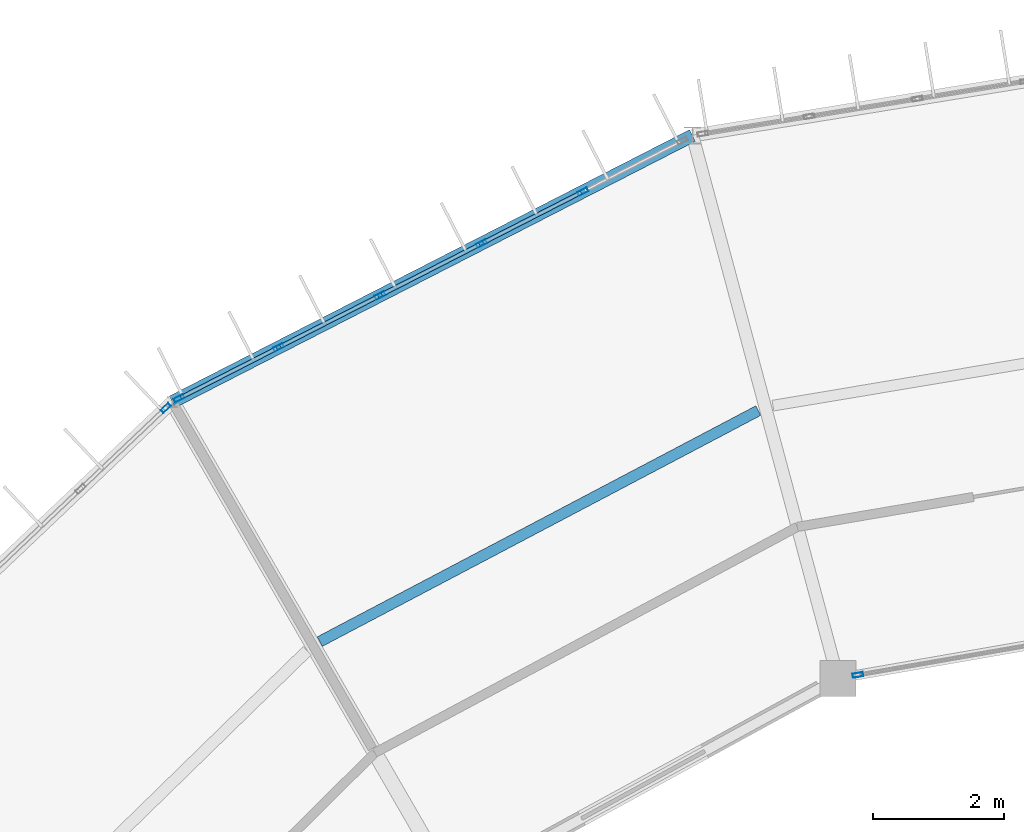
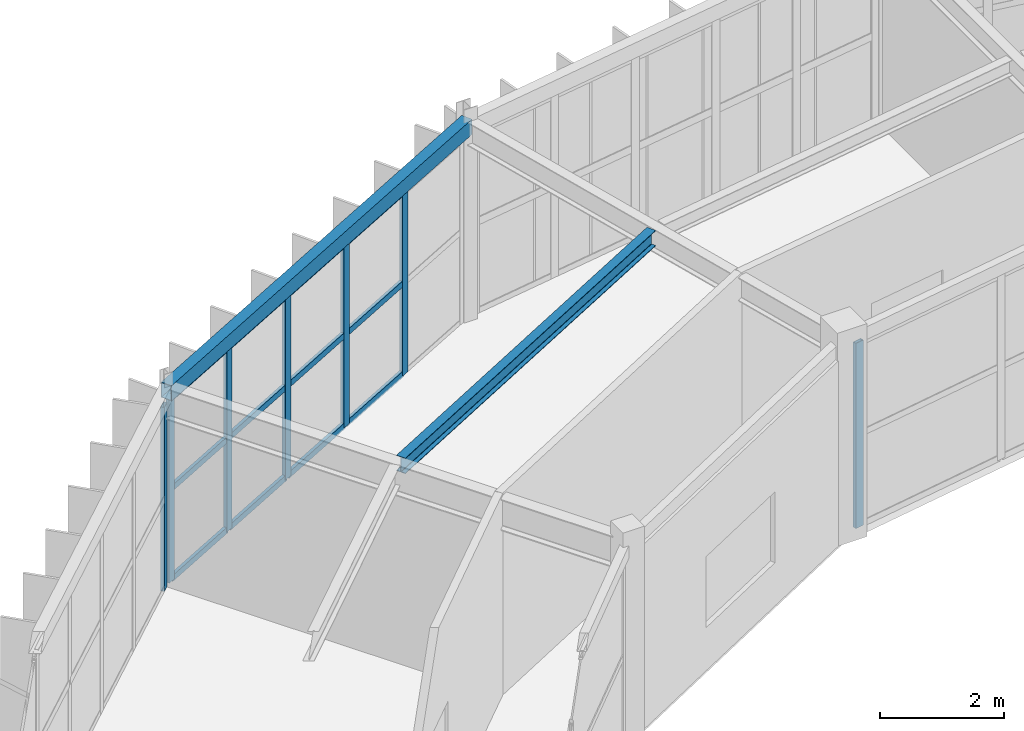
# One storey, part 72 of 134: 19 members, 2 beams, 3 elements without a shape of their own.
"""IFC4 building model written with IfcOpenShell, lengths in metres."""

import ifcopenshell
import ifcopenshell.guid

model = None  # the IFC model being written
_history = None  # IfcOwnerHistory: only IFC2X3 demands one
_inside = {}  # id of a spatial element -> (the spatial element, [elements in it])
_under = {}  # id of a project, library or spatial element -> (it, [spatial elements below it])
_declared = {}  # id of a project -> (the project, [libraries it declares])
_typed = {}  # id of a type object -> (the type object, [elements of that type])
_made_of = {}  # id of a material, layer set ... -> (it, [elements and type objects made of it])


def new_model(schema):
    """Start an empty IFC model of exactly this schema.

    Asked for "IFC4X3", IfcOpenShell would pick the latest addendum, in which some entities
    have other attributes; the version numbers below select the first issue.
    IFC2X3 requires an IfcOwnerHistory on every rooted entity: one is made here for all.
    """
    global model, _history
    if schema == "IFC4X3":
        model = ifcopenshell.file(schema_version=(4, 3, 0, 0))
    else:
        model = ifcopenshell.file(schema=schema)
    _inside.clear()
    _under.clear()
    _declared.clear()
    _typed.clear()
    _made_of.clear()
    _history = None
    if model.schema == "IFC2X3":
        org = make("IfcOrganization", Name="unknown")
        user = make(
            "IfcPersonAndOrganization",
            ThePerson=make("IfcPerson", FamilyName="unknown"),
            TheOrganization=org,
        )
        app = make(
            "IfcApplication",
            ApplicationDeveloper=org,
            Version="unknown",
            ApplicationFullName="unknown",
            ApplicationIdentifier="unknown",
        )
        _history = make(
            "IfcOwnerHistory",
            OwningUser=user,
            OwningApplication=app,
            ChangeAction="ADDED",
            CreationDate=0,
        )
    return model


def make(cls, **values):
    """One entity of the class cls with the attributes given. An attribute that is None is left unset."""
    return model.create_entity(
        cls, **{name: value for name, value in values.items() if value is not None}
    )


def rooted(cls, **values):
    """An entity with a GlobalId (a new one), such as an element, a storey or a relation."""
    return make(cls, GlobalId=ifcopenshell.guid.new(), OwnerHistory=_history, **values)


def si_unit(unit_type, name, prefix=None):
    """IfcSIUnit, for example si_unit("LENGTHUNIT", "METRE", prefix="MILLI")."""
    return make("IfcSIUnit", UnitType=unit_type, Prefix=prefix, Name=name)


def assignment(units):
    """IfcUnitAssignment: the units of a project."""
    return None if units is None else make("IfcUnitAssignment", Units=units)


def point(xyz):
    """IfcCartesianPoint."""
    return None if xyz is None else make("IfcCartesianPoint", Coordinates=xyz)


def direction(xyz):
    """IfcDirection."""
    return None if xyz is None else make("IfcDirection", DirectionRatios=xyz)


def frame(location, z_axis=None, x_axis=None):
    """IfcAxis2Placement3D, a coordinate frame: its origin and axes. An axis left out is left unset."""
    return make(
        "IfcAxis2Placement3D",
        Location=point(location),
        Axis=direction(z_axis),
        RefDirection=direction(x_axis),
    )


def frame_2d(location, x_axis=None):
    """IfcAxis2Placement2D, a coordinate frame in the plane: its origin and x axis."""
    return make(
        "IfcAxis2Placement2D", Location=point(location), RefDirection=direction(x_axis)
    )


def origin():
    """The frame at (0, 0, 0) with its axes left unset."""
    return frame((0.0, 0.0, 0.0))


def origin_2d():
    """The frame at (0, 0) in the plane with its x axis left unset."""
    return frame_2d((0.0, 0.0))


def place(relative_to, where):
    """IfcLocalPlacement: puts the frame where relative to a parent placement (None: the world)."""
    return make(
        "IfcLocalPlacement", PlacementRelTo=relative_to, RelativePlacement=where
    )


def context(
    kind, dimensions, precision=None, world=None, true_north=None, identifier=None
):
    """IfcGeometricRepresentationContext, for example the 3D "Model" context."""
    return make(
        "IfcGeometricRepresentationContext",
        ContextIdentifier=identifier,
        ContextType=kind,
        CoordinateSpaceDimension=dimensions,
        Precision=precision,
        WorldCoordinateSystem=world,
        TrueNorth=true_north,
    )


def subcontext(parent, identifier, kind, view, scale=None):
    """IfcGeometricRepresentationSubContext, for example "Body" below "Model"."""
    return make(
        "IfcGeometricRepresentationSubContext",
        ContextIdentifier=identifier,
        ContextType=kind,
        ParentContext=parent,
        TargetScale=scale,
        TargetView=view,
    )


def project(units=None, contexts=None):
    """IfcProject with its units and contexts."""
    return rooted(
        "IfcProject",
        Name="project",
        RepresentationContexts=contexts,
        UnitsInContext=assignment(units),
    )


def spatial(cls, under=None, at=None, **own):
    """A site, building, storey or space (cls), placed at a placement, below another one or the project."""
    s = rooted(cls, ObjectPlacement=at, **own)
    if under is not None:
        _under.setdefault(under.id(), (under, []))[1].append(s)
    return s


def profile(cls, at=None, kind="AREA", **sizes):
    """A parametric profile (cls). Its sizes go by their IFC names, for example OverallWidth=200.0."""
    return make(cls, ProfileType=kind, Position=at, **sizes)


def hollow_rectangle(**sizes):
    """IfcRectangleHollowProfileDef."""
    return profile("IfcRectangleHollowProfileDef", **sizes)


def i_section(**sizes):
    """IfcIShapeProfileDef."""
    return profile("IfcIShapeProfileDef", **sizes)


def extrude(swept, where, along, depth):
    """IfcExtrudedAreaSolid: the profile swept, set in the frame where, extruded along a direction by depth."""
    return make(
        "IfcExtrudedAreaSolid",
        SweptArea=swept,
        Position=where,
        ExtrudedDirection=direction(along),
        Depth=depth,
    )


def shape(context_of_items, identifier, shape_type, items):
    """IfcShapeRepresentation: the items that make up one representation, for example the "Body"."""
    return make(
        "IfcShapeRepresentation",
        ContextOfItems=context_of_items,
        RepresentationIdentifier=identifier,
        RepresentationType=shape_type,
        Items=items,
    )


def material(Name=None, Category=None):
    """IfcMaterial."""
    return make("IfcMaterial", Name=Name, Category=Category)


def material_profile(
    of_material, cross_section, Name=None, Category=None, Priority=None
):
    """IfcMaterialProfile: a cross section and its material."""
    return make(
        "IfcMaterialProfile",
        Name=Name,
        Material=of_material,
        Profile=cross_section,
        Priority=Priority,
        Category=Category,
    )


def profile_set(profiles, Name=None, composite=None):
    """IfcMaterialProfileSet."""
    return make(
        "IfcMaterialProfileSet",
        Name=Name,
        MaterialProfiles=profiles,
        CompositeProfile=composite,
    )


def made_of(thing, what):
    """Note that an element or type object is made of a material, layer set ...; save() writes the relation."""
    if what is not None:
        _made_of.setdefault(what.id(), (what, []))[1].append(thing)
    return thing


def type_object(cls, material=None, **own):
    """A type object (cls), such as IfcWallType, which elements share."""
    return made_of(rooted(cls, **own), material)


def element(
    cls,
    number,
    at=None,
    inside=None,
    cuts=None,
    type_object=None,
    material=None,
    context=None,
    identifier="Body",
    shape_type=None,
    held_by="IfcProductDefinitionShape",
    body=None,
    shapes=None,
    **own,
):
    """One element of the class cls, such as IfcWall. Its Tag is "e" and its number.

    at: its placement. inside: the storey or other place that contains it. cuts: it is an
    opening in that element (IfcRelVoidsElement). A single representation is given by context,
    identifier, shape_type and body (its items); several are given by shapes. held_by: the class
    of the entity that holds the representations. save() writes the other relations.
    """
    e = rooted(cls, Tag="e%d" % number, ObjectPlacement=at, **own)
    if body is not None:
        shapes = [shape(context, identifier, shape_type, body)]
    if shapes is not None:
        e.Representation = make(held_by, Representations=shapes)
    if inside is not None:
        _inside.setdefault(inside.id(), (inside, []))[1].append(e)
    if cuts is not None:
        rooted(
            "IfcRelVoidsElement", RelatingBuildingElement=cuts, RelatedOpeningElement=e
        )
    if type_object is not None:
        _typed.setdefault(type_object.id(), (type_object, []))[1].append(e)
    return made_of(e, material)


def aggregate(whole, parts):
    """IfcRelAggregates: a whole, such as a stair, and the parts it consists of."""
    return rooted("IfcRelAggregates", RelatingObject=whole, RelatedObjects=parts)


def save(model, path):
    """Write the relations noted so far, then the file.

    IfcRelAggregates (storeys below a building ...), IfcRelContainedInSpatialStructure (elements
    in a storey), IfcRelDefinesByType, IfcRelAssociatesMaterial and IfcRelDeclares: one each for
    every whole, place, type object, material and project.
    """
    for whole, parts in _under.values():
        aggregate(whole, parts)
    for where, things in _inside.values():
        rooted(
            "IfcRelContainedInSpatialStructure",
            RelatedElements=things,
            RelatingStructure=where,
        )
    for kind, things in _typed.values():
        rooted("IfcRelDefinesByType", RelatedObjects=things, RelatingType=kind)
    for what, things in _made_of.values():
        rooted("IfcRelAssociatesMaterial", RelatedObjects=things, RelatingMaterial=what)
    for by, libraries in _declared.values():
        rooted("IfcRelDeclares", RelatingContext=by, RelatedDefinitions=libraries)
    model.write(path)


model = new_model("IFC4")

# Units and contexts
model_context = context("Model", 3, precision=1e-05, world=origin(), true_north=direction((0.0, 1.0)))
body_context = subcontext(model_context, "Body", "Model", "MODEL_VIEW")
ifc_project = project(units=[si_unit("LENGTHUNIT", "METRE"), si_unit("AREAUNIT", "SQUARE_METRE"), si_unit("VOLUMEUNIT", "CUBIC_METRE"), si_unit("PLANEANGLEUNIT", "RADIAN"), si_unit("MASSUNIT", "GRAM", prefix="KILO")], contexts=[model_context])

# Site, building, storey
site_placement = place(None, origin())
site = spatial("IfcSite", under=ifc_project, at=site_placement, CompositionType="ELEMENT")
building_placement = place(site_placement, origin())
building = spatial("IfcBuilding", under=site, at=building_placement, Name="Karori Crest Natural Sciences Institute", CompositionType="ELEMENT")
storey_placement = place(building_placement, frame((0.0, 0.0, 21.699951171875)))
storey = spatial("IfcBuildingStorey", under=building, at=storey_placement, Name="L05", CompositionType="ELEMENT", Elevation=21.699951171875)

# Beams
ifc_material_1 = material(Name="Structural steel AS/NZS 3679.1 Grade 350", Category="steel")
ifc_material_profile_1 = material_profile(ifc_material_1, i_section(OverallWidth=0.166015625, OverallDepth=0.306884765625, WebThickness=0.006591796875, FlangeThickness=0.01171875, FilletRadius=0.010986328125, at=origin_2d()), Name="310UB46.2")
ifc_profile_set_1 = profile_set([ifc_material_profile_1], Name="Structural steel AS/NZS 3679.1 Grade 350")
beam_type_1 = type_object("IfcBeamType", Name="BT-09", PredefinedType="BEAM", material=ifc_profile_set_1)
beam_1_placement = place(storey_placement, frame((58.86572265625, 85.100341796875, 3.78662109375), z_axis=(-0.884748465601, -0.466068828197, 0.0), x_axis=(0.466068828197, -0.884748465601, 0.0)))
element("IfcBeam", 1, at=beam_1_placement, inside=storey, type_object=beam_type_1, Name="Beam B-0570", PredefinedType="BEAM", context=body_context, shape_type="SweptSolid", body=[
    extrude(i_section(OverallWidth=0.166015625, OverallDepth=0.306884765625, WebThickness=0.006591796875, FlangeThickness=0.01171875, FilletRadius=0.010986328125, at=origin_2d()), origin(), (0.0, 0.0, 1.0), 7.58349609375),
])
ifc_material_2 = material(Name="Hollow structural steel AS/NZS 1163 Grade C350", Category="steel")
ifc_material_profile_2 = material_profile(ifc_material_2, hollow_rectangle(XDim=0.199951171875, YDim=0.300048828125, WallThickness=0.010009765625, at=origin_2d()), Name="RHS300x200x10")
ifc_profile_set_2 = profile_set([ifc_material_profile_2], Name="Hollow structural steel AS/NZS 1163 Grade C350")
beam_type_2 = type_object("IfcBeamType", Name="BT-15", PredefinedType="SPANDREL", material=ifc_profile_set_2)
beam_2_placement = place(storey_placement, frame((57.85888671875, 89.309814453125, 3.7900390625), z_axis=(-0.890071733872, -0.455820478436, 0.0), x_axis=(0.455820478436, -0.890071733872, 0.0)))
element("IfcBeam", 2, at=beam_2_placement, inside=storey, type_object=beam_type_2, Name="Beam B-0567", PredefinedType="SPANDREL", context=body_context, shape_type="SweptSolid", body=[
    extrude(hollow_rectangle(XDim=0.199951171875, YDim=0.300048828125, WallThickness=0.010009765625, at=origin_2d()), origin(), (0.0, 0.0, 1.0), 8.94189453125),
])

# Curtain wall, member
ifc_material_3 = material(Name="Anodised architectural aluminium 6063-T6", Category="aluminium")
curtain_wall_type_1 = type_object("IfcCurtainWallType", Name="CWT-12", PredefinedType="NOTDEFINED", material=ifc_material_3)
curtain_wall_1_placement = place(storey_placement, origin())
curtain_wall_1 = element("IfcCurtainWall", 3, at=curtain_wall_1_placement, inside=storey, type_object=curtain_wall_type_1, Name="Curtain wall CW-0182", PredefinedType="NOTDEFINED")
ifc_material_profile_3 = material_profile(ifc_material_3, hollow_rectangle(XDim=0.06494140625, YDim=0.159912109375, WallThickness=0.00390625, at=origin_2d()), Name="CWM160x65x4")
ifc_profile_set_3 = profile_set([ifc_material_profile_3], Name="Anodised architectural aluminium 6063-T6")
member_type_1 = type_object("IfcMemberType", Name="CWM-01", PredefinedType="MULLION", material=ifc_profile_set_3)
member_1_placement = place(storey_placement, frame((60.389892578125, 81.0556640625, 0.0), z_axis=(0.0, 0.0, 1.0), x_axis=(0.171173924291, -0.985240827231, 0.0)))
member_1 = element("IfcMember", 4, at=member_1_placement, type_object=member_type_1, Name="CW-0182 mullion 3", PredefinedType="MULLION", context=body_context, shape_type="SweptSolid", body=[
    extrude(hollow_rectangle(XDim=0.06494140625, YDim=0.159912109375, WallThickness=0.00390625, at=origin_2d()), origin(), (0.0, 0.0, 1.0), 3.650146484375),
])
aggregate(curtain_wall_1, [member_1])

# Curtain wall, members
curtain_wall_type_2 = type_object("IfcCurtainWallType", Name="CWT-08", PredefinedType="NOTDEFINED", material=ifc_material_3)
curtain_wall_2_placement = place(storey_placement, origin())
curtain_wall_2 = element("IfcCurtainWall", 5, at=curtain_wall_2_placement, inside=storey, type_object=curtain_wall_type_2, Name="Curtain wall CW-0183", PredefinedType="NOTDEFINED")
member_2_placement = place(storey_placement, frame((50.004150390625, 85.287109375, 0.0), z_axis=(0.0, 0.0, 1.0), x_axis=(-0.455828878252, 0.890067432138, 0.0)))
member_2 = element("IfcMember", 6, at=member_2_placement, type_object=member_type_1, Name="CW-0183 mullion 1", PredefinedType="MULLION", context=body_context, shape_type="SweptSolid", body=[
    extrude(hollow_rectangle(XDim=0.06494140625, YDim=0.159912109375, WallThickness=0.00390625, at=origin_2d()), origin(), (0.0, 0.0, 1.0), 3.625),
])
member_3_placement = place(storey_placement, frame((51.52685546875, 86.06689453125, 0.0), z_axis=(0.0, 0.0, 1.0), x_axis=(-0.455828878252, 0.890067432138, 0.0)))
member_3 = element("IfcMember", 7, at=member_3_placement, type_object=member_type_1, Name="CW-0183 mullion 2", PredefinedType="MULLION", context=body_context, shape_type="SweptSolid", body=[
    extrude(hollow_rectangle(XDim=0.06494140625, YDim=0.159912109375, WallThickness=0.00390625, at=origin_2d()), origin(), (0.0, 0.0, 1.0), 3.625),
])
member_4_placement = place(storey_placement, frame((53.07861328125, 86.861572265625, 0.0), z_axis=(0.0, 0.0, 1.0), x_axis=(-0.455828878252, 0.890067432138, 0.0)))
member_4 = element("IfcMember", 8, at=member_4_placement, type_object=member_type_1, Name="CW-0183 mullion 3", PredefinedType="MULLION", context=body_context, shape_type="SweptSolid", body=[
    extrude(hollow_rectangle(XDim=0.06494140625, YDim=0.159912109375, WallThickness=0.00390625, at=origin_2d()), origin(), (0.0, 0.0, 1.0), 3.625),
])
member_5_placement = place(storey_placement, frame((54.63037109375, 87.65625, 0.0), z_axis=(0.0, 0.0, 1.0), x_axis=(-0.455828878252, 0.890067432138, 0.0)))
member_5 = element("IfcMember", 9, at=member_5_placement, type_object=member_type_1, Name="CW-0183 mullion 4", PredefinedType="MULLION", context=body_context, shape_type="SweptSolid", body=[
    extrude(hollow_rectangle(XDim=0.06494140625, YDim=0.159912109375, WallThickness=0.00390625, at=origin_2d()), origin(), (0.0, 0.0, 1.0), 3.625),
])
member_6_placement = place(storey_placement, frame((56.18212890625, 88.450927734375, 0.0), z_axis=(0.0, 0.0, 1.0), x_axis=(-0.455828878252, 0.890067432138, 0.0)))
member_6 = element("IfcMember", 10, at=member_6_placement, type_object=member_type_1, Name="CW-0183 mullion 5", PredefinedType="MULLION", context=body_context, shape_type="SweptSolid", body=[
    extrude(hollow_rectangle(XDim=0.06494140625, YDim=0.159912109375, WallThickness=0.00390625, at=origin_2d()), origin(), (0.0, 0.0, 1.0), 3.625),
])

# Curtain wall, member
curtain_wall_type_3 = type_object("IfcCurtainWallType", Name="CWT-09", PredefinedType="NOTDEFINED", material=ifc_material_3)
curtain_wall_3_placement = place(storey_placement, origin())
curtain_wall_3 = element("IfcCurtainWall", 11, at=curtain_wall_3_placement, inside=storey, type_object=curtain_wall_type_3, Name="Curtain wall CW-0184", PredefinedType="NOTDEFINED")
member_7_placement = place(storey_placement, frame((49.801025390625, 85.139892578125, 0.0), z_axis=(0.0, 0.0, 1.0), x_axis=(-0.688250542104, 0.725473081026, 0.0)))
member_7 = element("IfcMember", 12, at=member_7_placement, type_object=member_type_1, Name="CW-0184 mullion 6", PredefinedType="MULLION", context=body_context, shape_type="SweptSolid", body=[
    extrude(hollow_rectangle(XDim=0.06494140625, YDim=0.159912109375, WallThickness=0.00390625, at=origin_2d()), origin(), (0.0, 0.0, 1.0), 3.625),
])
aggregate(curtain_wall_3, [member_7])

# Member
ifc_material_profile_4 = material_profile(ifc_material_3, hollow_rectangle(XDim=0.06005859375, YDim=0.1201171875, WallThickness=0.00390625, at=origin_2d()), Name="CWT120x60x4")
ifc_profile_set_4 = profile_set([ifc_material_profile_4], Name="Anodised architectural aluminium 6063-T6")
member_type_2 = type_object("IfcMemberType", Name="CWT-TR1", PredefinedType="USERDEFINED", material=ifc_profile_set_4)
member_8_placement = place(storey_placement, frame((50.032958984375, 85.302001953125, 0.030029296875), z_axis=(0.890084461025, 0.455795625518, 0.0), x_axis=(-0.455795625518, 0.890084461025, 0.0)))
member_8 = element("IfcMember", 13, at=member_8_placement, type_object=member_type_2, Name="CW-0183 transom 1.1", ObjectType="TRANSOM", PredefinedType="USERDEFINED", context=body_context, shape_type="SweptSolid", body=[
    extrude(hollow_rectangle(XDim=0.06005859375, YDim=0.1201171875, WallThickness=0.00390625, at=origin_2d()), origin(), (0.0, 0.0, 1.0), 1.64599609375),
])

member_9_placement = place(storey_placement, frame((50.032958984375, 85.302001953125, 1.8125), z_axis=(0.890084461025, 0.455795625518, 0.0), x_axis=(-0.455795625518, 0.890084461025, 0.0)))
member_9 = element("IfcMember", 14, at=member_9_placement, type_object=member_type_2, Name="CW-0183 transom 1.2", ObjectType="TRANSOM", PredefinedType="USERDEFINED", context=body_context, shape_type="SweptSolid", body=[
    extrude(hollow_rectangle(XDim=0.06005859375, YDim=0.1201171875, WallThickness=0.00390625, at=origin_2d()), origin(), (0.0, 0.0, 1.0), 1.64599609375),
])

member_10_placement = place(storey_placement, frame((50.032958984375, 85.302001953125, 3.594970703125), z_axis=(0.890084461025, 0.455795625518, 0.0), x_axis=(-0.455795625518, 0.890084461025, 0.0)))
member_10 = element("IfcMember", 15, at=member_10_placement, type_object=member_type_2, Name="CW-0183 transom 1.3", ObjectType="TRANSOM", PredefinedType="USERDEFINED", context=body_context, shape_type="SweptSolid", body=[
    extrude(hollow_rectangle(XDim=0.06005859375, YDim=0.1201171875, WallThickness=0.00390625, at=origin_2d()), origin(), (0.0, 0.0, 1.0), 1.64599609375),
])

member_11_placement = place(storey_placement, frame((51.555908203125, 86.081787109375, 0.030029296875), z_axis=(0.890050562189, 0.455861817601, 0.0), x_axis=(-0.455861817601, 0.890050562189, 0.0)))
member_11 = element("IfcMember", 16, at=member_11_placement, type_object=member_type_2, Name="CW-0183 transom 2.1", ObjectType="TRANSOM", PredefinedType="USERDEFINED", context=body_context, shape_type="SweptSolid", body=[
    extrude(hollow_rectangle(XDim=0.06005859375, YDim=0.1201171875, WallThickness=0.00390625, at=origin_2d()), origin(), (0.0, 0.0, 1.0), 1.678466796875),
])

member_12_placement = place(storey_placement, frame((51.555908203125, 86.081787109375, 1.8125), z_axis=(0.890050562189, 0.455861817601, 0.0), x_axis=(-0.455861817601, 0.890050562189, 0.0)))
member_12 = element("IfcMember", 17, at=member_12_placement, type_object=member_type_2, Name="CW-0183 transom 2.2", ObjectType="TRANSOM", PredefinedType="USERDEFINED", context=body_context, shape_type="SweptSolid", body=[
    extrude(hollow_rectangle(XDim=0.06005859375, YDim=0.1201171875, WallThickness=0.00390625, at=origin_2d()), origin(), (0.0, 0.0, 1.0), 1.678466796875),
])

member_13_placement = place(storey_placement, frame((51.555908203125, 86.081787109375, 3.594970703125), z_axis=(0.890050562189, 0.455861817601, 0.0), x_axis=(-0.455861817601, 0.890050562189, 0.0)))
member_13 = element("IfcMember", 18, at=member_13_placement, type_object=member_type_2, Name="CW-0183 transom 2.3", ObjectType="TRANSOM", PredefinedType="USERDEFINED", context=body_context, shape_type="SweptSolid", body=[
    extrude(hollow_rectangle(XDim=0.06005859375, YDim=0.1201171875, WallThickness=0.00390625, at=origin_2d()), origin(), (0.0, 0.0, 1.0), 1.678466796875),
])

member_14_placement = place(storey_placement, frame((53.107666015625, 86.87646484375, 0.030029296875), z_axis=(0.890020328927, 0.455920841919, 0.0), x_axis=(-0.455920841919, 0.890020328927, 0.0)))
member_14 = element("IfcMember", 19, at=member_14_placement, type_object=member_type_2, Name="CW-0183 transom 3.1", ObjectType="TRANSOM", PredefinedType="USERDEFINED", context=body_context, shape_type="SweptSolid", body=[
    extrude(hollow_rectangle(XDim=0.06005859375, YDim=0.1201171875, WallThickness=0.00390625, at=origin_2d()), origin(), (0.0, 0.0, 1.0), 1.67822265625),
])

member_15_placement = place(storey_placement, frame((53.107666015625, 86.87646484375, 1.8125), z_axis=(0.890020328927, 0.455920841919, 0.0), x_axis=(-0.455920841919, 0.890020328927, 0.0)))
member_15 = element("IfcMember", 20, at=member_15_placement, type_object=member_type_2, Name="CW-0183 transom 3.2", ObjectType="TRANSOM", PredefinedType="USERDEFINED", context=body_context, shape_type="SweptSolid", body=[
    extrude(hollow_rectangle(XDim=0.06005859375, YDim=0.1201171875, WallThickness=0.00390625, at=origin_2d()), origin(), (0.0, 0.0, 1.0), 1.67822265625),
])

member_16_placement = place(storey_placement, frame((53.107666015625, 86.87646484375, 3.594970703125), z_axis=(0.890020328927, 0.455920841919, 0.0), x_axis=(-0.455920841919, 0.890020328927, 0.0)))
member_16 = element("IfcMember", 21, at=member_16_placement, type_object=member_type_2, Name="CW-0183 transom 3.3", ObjectType="TRANSOM", PredefinedType="USERDEFINED", context=body_context, shape_type="SweptSolid", body=[
    extrude(hollow_rectangle(XDim=0.06005859375, YDim=0.1201171875, WallThickness=0.00390625, at=origin_2d()), origin(), (0.0, 0.0, 1.0), 1.67822265625),
])

member_17_placement = place(storey_placement, frame((54.6591796875, 87.671142578125, 0.030029296875), z_axis=(0.890050562189, 0.455861817601, 0.0), x_axis=(-0.455861817601, 0.890050562189, 0.0)))
member_17 = element("IfcMember", 22, at=member_17_placement, type_object=member_type_2, Name="CW-0183 transom 4.1", ObjectType="TRANSOM", PredefinedType="USERDEFINED", context=body_context, shape_type="SweptSolid", body=[
    extrude(hollow_rectangle(XDim=0.06005859375, YDim=0.1201171875, WallThickness=0.00390625, at=origin_2d()), origin(), (0.0, 0.0, 1.0), 1.678466796875),
])

member_18_placement = place(storey_placement, frame((54.6591796875, 87.671142578125, 1.8125), z_axis=(0.890050562189, 0.455861817601, 0.0), x_axis=(-0.455861817601, 0.890050562189, 0.0)))
member_18 = element("IfcMember", 23, at=member_18_placement, type_object=member_type_2, Name="CW-0183 transom 4.2", ObjectType="TRANSOM", PredefinedType="USERDEFINED", context=body_context, shape_type="SweptSolid", body=[
    extrude(hollow_rectangle(XDim=0.06005859375, YDim=0.1201171875, WallThickness=0.00390625, at=origin_2d()), origin(), (0.0, 0.0, 1.0), 1.678466796875),
])

member_19_placement = place(storey_placement, frame((54.6591796875, 87.671142578125, 3.594970703125), z_axis=(0.890050562189, 0.455861817601, 0.0), x_axis=(-0.455861817601, 0.890050562189, 0.0)))
member_19 = element("IfcMember", 24, at=member_19_placement, type_object=member_type_2, Name="CW-0183 transom 4.3", ObjectType="TRANSOM", PredefinedType="USERDEFINED", context=body_context, shape_type="SweptSolid", body=[
    extrude(hollow_rectangle(XDim=0.06005859375, YDim=0.1201171875, WallThickness=0.00390625, at=origin_2d()), origin(), (0.0, 0.0, 1.0), 1.678466796875),
])

aggregate(curtain_wall_2, [member_2, member_3, member_4, member_5, member_6, member_8, member_9, member_10, member_11, member_12, member_13, member_14, member_15, member_16, member_17, member_18, member_19])

save(model, "model.ifc")
